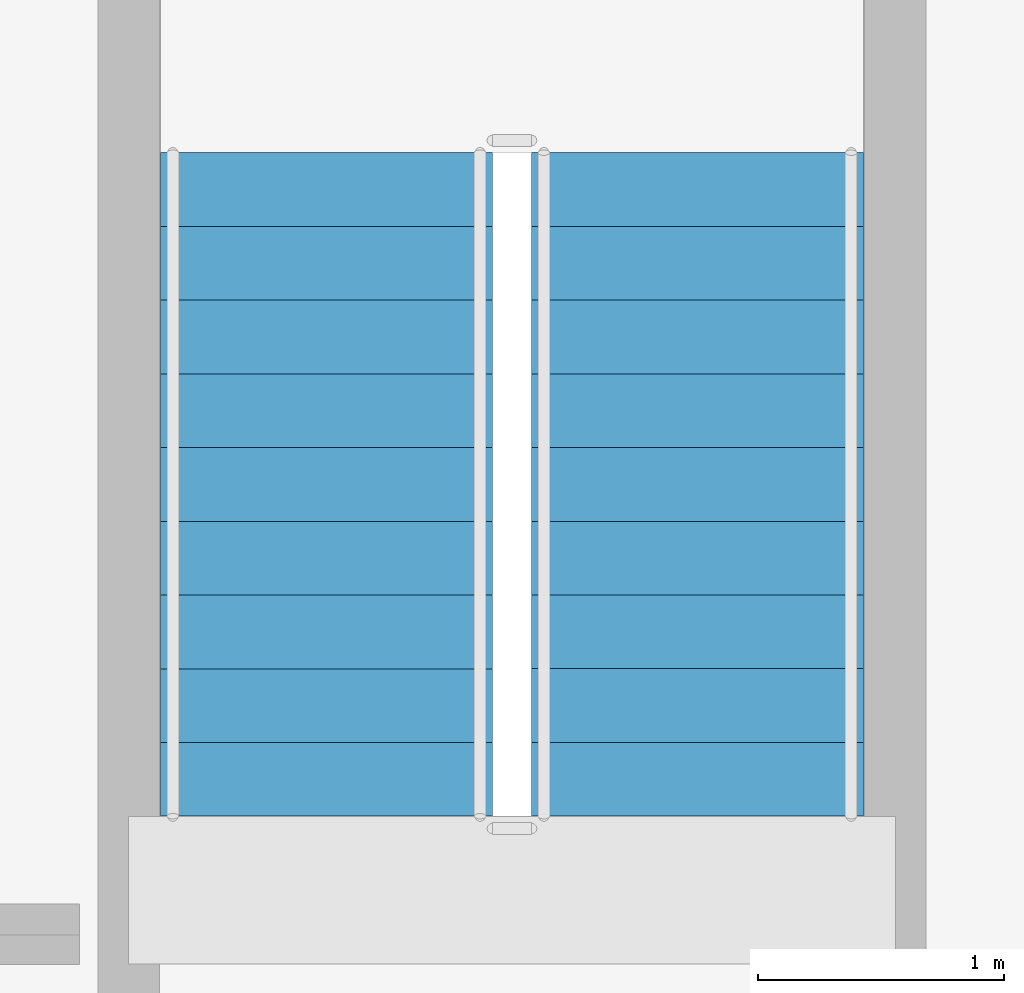
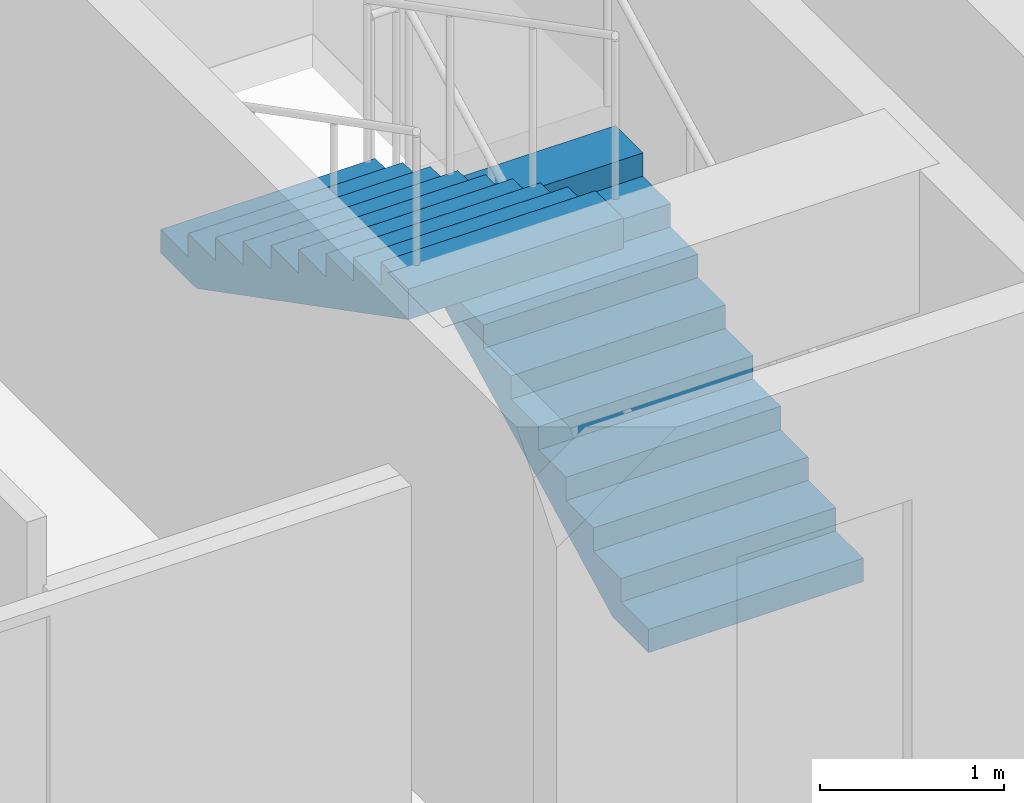
# One storey, part 16 of 19: 2 stair flights, 1 element without a shape of its own.
"""IFC4 building model written with IfcOpenShell, lengths in metres."""

import ifcopenshell
import ifcopenshell.guid

model = None  # the IFC model being written
_history = None  # IfcOwnerHistory: only IFC2X3 demands one
_inside = {}  # id of a spatial element -> (the spatial element, [elements in it])
_under = {}  # id of a project, library or spatial element -> (it, [spatial elements below it])
_declared = {}  # id of a project -> (the project, [libraries it declares])
_typed = {}  # id of a type object -> (the type object, [elements of that type])
_made_of = {}  # id of a material, layer set ... -> (it, [elements and type objects made of it])


def new_model(schema):
    """Start an empty IFC model of exactly this schema.

    Asked for "IFC4X3", IfcOpenShell would pick the latest addendum, in which some entities
    have other attributes; the version numbers below select the first issue.
    IFC2X3 requires an IfcOwnerHistory on every rooted entity: one is made here for all.
    """
    global model, _history
    if schema == "IFC4X3":
        model = ifcopenshell.file(schema_version=(4, 3, 0, 0))
    else:
        model = ifcopenshell.file(schema=schema)
    _inside.clear()
    _under.clear()
    _declared.clear()
    _typed.clear()
    _made_of.clear()
    _history = None
    if model.schema == "IFC2X3":
        org = make("IfcOrganization", Name="unknown")
        user = make(
            "IfcPersonAndOrganization",
            ThePerson=make("IfcPerson", FamilyName="unknown"),
            TheOrganization=org,
        )
        app = make(
            "IfcApplication",
            ApplicationDeveloper=org,
            Version="unknown",
            ApplicationFullName="unknown",
            ApplicationIdentifier="unknown",
        )
        _history = make(
            "IfcOwnerHistory",
            OwningUser=user,
            OwningApplication=app,
            ChangeAction="ADDED",
            CreationDate=0,
        )
    return model


def make(cls, **values):
    """One entity of the class cls with the attributes given. An attribute that is None is left unset."""
    return model.create_entity(
        cls, **{name: value for name, value in values.items() if value is not None}
    )


def rooted(cls, **values):
    """An entity with a GlobalId (a new one), such as an element, a storey or a relation."""
    return make(cls, GlobalId=ifcopenshell.guid.new(), OwnerHistory=_history, **values)


def si_unit(unit_type, name, prefix=None):
    """IfcSIUnit, for example si_unit("LENGTHUNIT", "METRE", prefix="MILLI")."""
    return make("IfcSIUnit", UnitType=unit_type, Prefix=prefix, Name=name)


def assignment(units):
    """IfcUnitAssignment: the units of a project."""
    return None if units is None else make("IfcUnitAssignment", Units=units)


def point(xyz):
    """IfcCartesianPoint."""
    return None if xyz is None else make("IfcCartesianPoint", Coordinates=xyz)


def direction(xyz):
    """IfcDirection."""
    return None if xyz is None else make("IfcDirection", DirectionRatios=xyz)


def frame(location, z_axis=None, x_axis=None):
    """IfcAxis2Placement3D, a coordinate frame: its origin and axes. An axis left out is left unset."""
    return make(
        "IfcAxis2Placement3D",
        Location=point(location),
        Axis=direction(z_axis),
        RefDirection=direction(x_axis),
    )


def origin():
    """The frame at (0, 0, 0) with its axes left unset."""
    return frame((0.0, 0.0, 0.0))


def place(relative_to, where):
    """IfcLocalPlacement: puts the frame where relative to a parent placement (None: the world)."""
    return make(
        "IfcLocalPlacement", PlacementRelTo=relative_to, RelativePlacement=where
    )


def context(
    kind, dimensions, precision=None, world=None, true_north=None, identifier=None
):
    """IfcGeometricRepresentationContext, for example the 3D "Model" context."""
    return make(
        "IfcGeometricRepresentationContext",
        ContextIdentifier=identifier,
        ContextType=kind,
        CoordinateSpaceDimension=dimensions,
        Precision=precision,
        WorldCoordinateSystem=world,
        TrueNorth=true_north,
    )


def subcontext(parent, identifier, kind, view, scale=None):
    """IfcGeometricRepresentationSubContext, for example "Body" below "Model"."""
    return make(
        "IfcGeometricRepresentationSubContext",
        ContextIdentifier=identifier,
        ContextType=kind,
        ParentContext=parent,
        TargetScale=scale,
        TargetView=view,
    )


def project(units=None, contexts=None):
    """IfcProject with its units and contexts."""
    return rooted(
        "IfcProject",
        Name="project",
        RepresentationContexts=contexts,
        UnitsInContext=assignment(units),
    )


def spatial(cls, under=None, at=None, **own):
    """A site, building, storey or space (cls), placed at a placement, below another one or the project."""
    s = rooted(cls, ObjectPlacement=at, **own)
    if under is not None:
        _under.setdefault(under.id(), (under, []))[1].append(s)
    return s


def polyline(points):
    """IfcPolyline through the points."""
    return make("IfcPolyline", Points=[point(p) for p in points])


def outline(outer, holes=None, kind="AREA"):
    """IfcArbitraryClosedProfileDef: a profile drawn as a closed curve; with holes, ...WithVoids."""
    if holes is None:
        return make("IfcArbitraryClosedProfileDef", ProfileType=kind, OuterCurve=outer)
    return make(
        "IfcArbitraryProfileDefWithVoids",
        ProfileType=kind,
        OuterCurve=outer,
        InnerCurves=holes,
    )


def extrude(swept, where, along, depth):
    """IfcExtrudedAreaSolid: the profile swept, set in the frame where, extruded along a direction by depth."""
    return make(
        "IfcExtrudedAreaSolid",
        SweptArea=swept,
        Position=where,
        ExtrudedDirection=direction(along),
        Depth=depth,
    )


def shape(context_of_items, identifier, shape_type, items):
    """IfcShapeRepresentation: the items that make up one representation, for example the "Body"."""
    return make(
        "IfcShapeRepresentation",
        ContextOfItems=context_of_items,
        RepresentationIdentifier=identifier,
        RepresentationType=shape_type,
        Items=items,
    )


def material(Name=None, Category=None):
    """IfcMaterial."""
    return make("IfcMaterial", Name=Name, Category=Category)


def made_of(thing, what):
    """Note that an element or type object is made of a material, layer set ...; save() writes the relation."""
    if what is not None:
        _made_of.setdefault(what.id(), (what, []))[1].append(thing)
    return thing


def type_object(cls, material=None, **own):
    """A type object (cls), such as IfcWallType, which elements share."""
    return made_of(rooted(cls, **own), material)


def element(
    cls,
    number,
    at=None,
    inside=None,
    cuts=None,
    type_object=None,
    material=None,
    context=None,
    identifier="Body",
    shape_type=None,
    held_by="IfcProductDefinitionShape",
    body=None,
    shapes=None,
    **own,
):
    """One element of the class cls, such as IfcWall. Its Tag is "e" and its number.

    at: its placement. inside: the storey or other place that contains it. cuts: it is an
    opening in that element (IfcRelVoidsElement). A single representation is given by context,
    identifier, shape_type and body (its items); several are given by shapes. held_by: the class
    of the entity that holds the representations. save() writes the other relations.
    """
    e = rooted(cls, Tag="e%d" % number, ObjectPlacement=at, **own)
    if body is not None:
        shapes = [shape(context, identifier, shape_type, body)]
    if shapes is not None:
        e.Representation = make(held_by, Representations=shapes)
    if inside is not None:
        _inside.setdefault(inside.id(), (inside, []))[1].append(e)
    if cuts is not None:
        rooted(
            "IfcRelVoidsElement", RelatingBuildingElement=cuts, RelatedOpeningElement=e
        )
    if type_object is not None:
        _typed.setdefault(type_object.id(), (type_object, []))[1].append(e)
    return made_of(e, material)


def aggregate(whole, parts):
    """IfcRelAggregates: a whole, such as a stair, and the parts it consists of."""
    return rooted("IfcRelAggregates", RelatingObject=whole, RelatedObjects=parts)


def save(model, path):
    """Write the relations noted so far, then the file.

    IfcRelAggregates (storeys below a building ...), IfcRelContainedInSpatialStructure (elements
    in a storey), IfcRelDefinesByType, IfcRelAssociatesMaterial and IfcRelDeclares: one each for
    every whole, place, type object, material and project.
    """
    for whole, parts in _under.values():
        aggregate(whole, parts)
    for where, things in _inside.values():
        rooted(
            "IfcRelContainedInSpatialStructure",
            RelatedElements=things,
            RelatingStructure=where,
        )
    for kind, things in _typed.values():
        rooted("IfcRelDefinesByType", RelatedObjects=things, RelatingType=kind)
    for what, things in _made_of.values():
        rooted("IfcRelAssociatesMaterial", RelatedObjects=things, RelatingMaterial=what)
    for by, libraries in _declared.values():
        rooted("IfcRelDeclares", RelatingContext=by, RelatedDefinitions=libraries)
    model.write(path)


model = new_model("IFC4")

# Units and contexts
model_context = context("Model", 3, precision=1e-05, world=origin(), true_north=direction((0.0, 1.0)))
body_context = subcontext(model_context, "Body", "Model", "MODEL_VIEW")
ifc_project = project(units=[si_unit("LENGTHUNIT", "METRE"), si_unit("AREAUNIT", "SQUARE_METRE"), si_unit("VOLUMEUNIT", "CUBIC_METRE"), si_unit("PLANEANGLEUNIT", "RADIAN"), si_unit("MASSUNIT", "GRAM", prefix="KILO")], contexts=[model_context])

# Site, building, storey
site_placement = place(None, origin())
site = spatial("IfcSite", under=ifc_project, at=site_placement, CompositionType="ELEMENT")
building_placement = place(site_placement, origin())
building = spatial("IfcBuilding", under=site, at=building_placement, Name="Solvane Sanctuary Tower", CompositionType="ELEMENT")
storey_placement = place(building_placement, frame((0.0, 0.0, 207.800048828125)))
storey = spatial("IfcBuildingStorey", under=building, at=storey_placement, Name="L63", CompositionType="ELEMENT", Elevation=207.800048828125)

# Stair, stair flights
ifc_material = material(Name="Concrete C45/55", Category="concrete")
stair_type = type_object("IfcStairType", Name="Stair ST-TOW", PredefinedType="HALF_TURN_STAIR", material=ifc_material)
stair_placement = place(storey_placement, origin())
stair = element("IfcStair", 1, at=stair_placement, inside=storey, type_object=stair_type, Name="L63 Exit Stair ST-2 East Core", PredefinedType="HALF_TURN_STAIR")
stair_flight_type = type_object("IfcStairFlightType", Name="StairFlight SF-TOW", PredefinedType="STRAIGHT", material=ifc_material)
stair_flight_1_placement = place(storey_placement, frame((46.965087890625, 19.699951171875, 0.0), z_axis=(0.0, 0.0, 1.0), x_axis=(0.0, 1.0, 0.0)))
stair_flight_1 = element("IfcStairFlight", 2, at=stair_flight_1_placement, type_object=stair_flight_type, Name="ST-2 flight 1", NumberOfRisers=10, NumberOfTreads=9, PredefinedType="STRAIGHT", RiserHeight=0.155, TreadLength=0.3, context=body_context, shape_type="SweptSolid", body=[
    extrude(outline(polyline([(0.0, 0.0), (0.0, 0.155029296875), (0.300048828125, 0.155029296875), (0.300048828125, 0.31005859375), (0.60009765625, 0.31005859375), (0.60009765625, 0.465087890625), (0.89990234375, 0.465087890625), (0.89990234375, 0.6201171875), (1.199951171875, 0.6201171875), (1.199951171875, 0.77490234375), (1.5, 0.77490234375), (1.5, 0.929931640625), (1.800048828125, 0.929931640625), (1.800048828125, 1.0849609375), (2.10009765625, 1.0849609375), (2.10009765625, 1.239990234375), (2.39990234375, 1.239990234375), (2.39990234375, 1.39501953125), (2.699951171875, 1.39501953125), (2.699951171875, 1.550048828125), (2.699951171875, 1.1923828125), (0.39208984375, 0.0), (0.0, 0.0)])), frame((0.0, 0.675048828125, 0.0), z_axis=(0.0, -1.0, 0.0), x_axis=(1.0, 0.0, 0.0)), (0.0, 0.0, 1.0), 1.35009765625),
])
stair_flight_2_placement = place(storey_placement, frame((45.455078125, 22.39990234375, 1.550048828125), z_axis=(0.0, 0.0, 1.0), x_axis=(0.0, -1.0, 0.0)))
stair_flight_2 = element("IfcStairFlight", 3, at=stair_flight_2_placement, type_object=stair_flight_type, Name="ST-2 flight 2", NumberOfRisers=10, NumberOfTreads=9, PredefinedType="STRAIGHT", RiserHeight=0.155, TreadLength=0.3, context=body_context, shape_type="SweptSolid", body=[
    extrude(outline(polyline([(0.0, 0.0), (0.0, 0.155029296875), (0.300048828125, 0.155029296875), (0.300048828125, 0.31005859375), (0.60009765625, 0.31005859375), (0.60009765625, 0.465087890625), (0.89990234375, 0.465087890625), (0.89990234375, 0.6201171875), (1.199951171875, 0.6201171875), (1.199951171875, 0.77490234375), (1.5, 0.77490234375), (1.5, 0.929931640625), (1.800048828125, 0.929931640625), (1.800048828125, 1.0849609375), (2.10009765625, 1.0849609375), (2.10009765625, 1.239990234375), (2.39990234375, 1.239990234375), (2.39990234375, 1.39501953125), (2.699951171875, 1.39501953125), (2.699951171875, 1.550048828125), (2.699951171875, 1.1923828125), (0.39208984375, 0.0), (0.0, 0.0)])), frame((0.0, 0.675048828125, 0.0), z_axis=(0.0, -1.0, 0.0), x_axis=(1.0, 0.0, 0.0)), (0.0, 0.0, 1.0), 1.35009765625),
])
aggregate(stair, [stair_flight_1, stair_flight_2])

save(model, "model.ifc")
